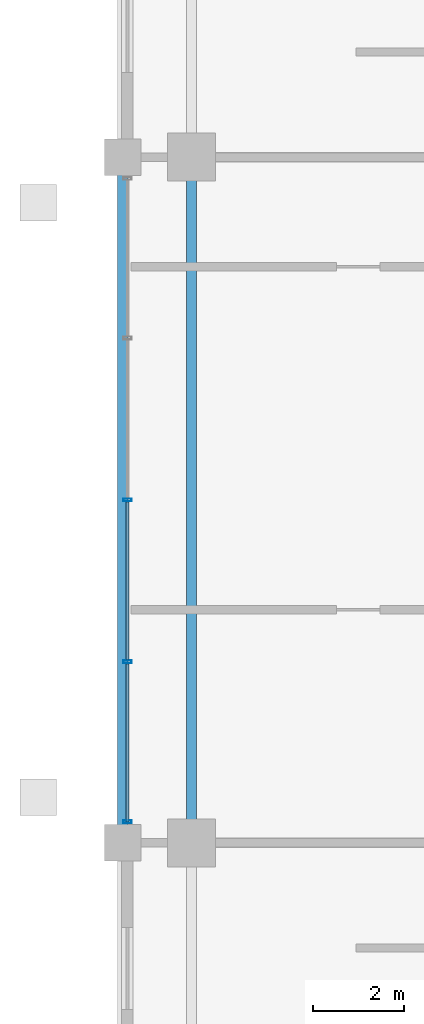
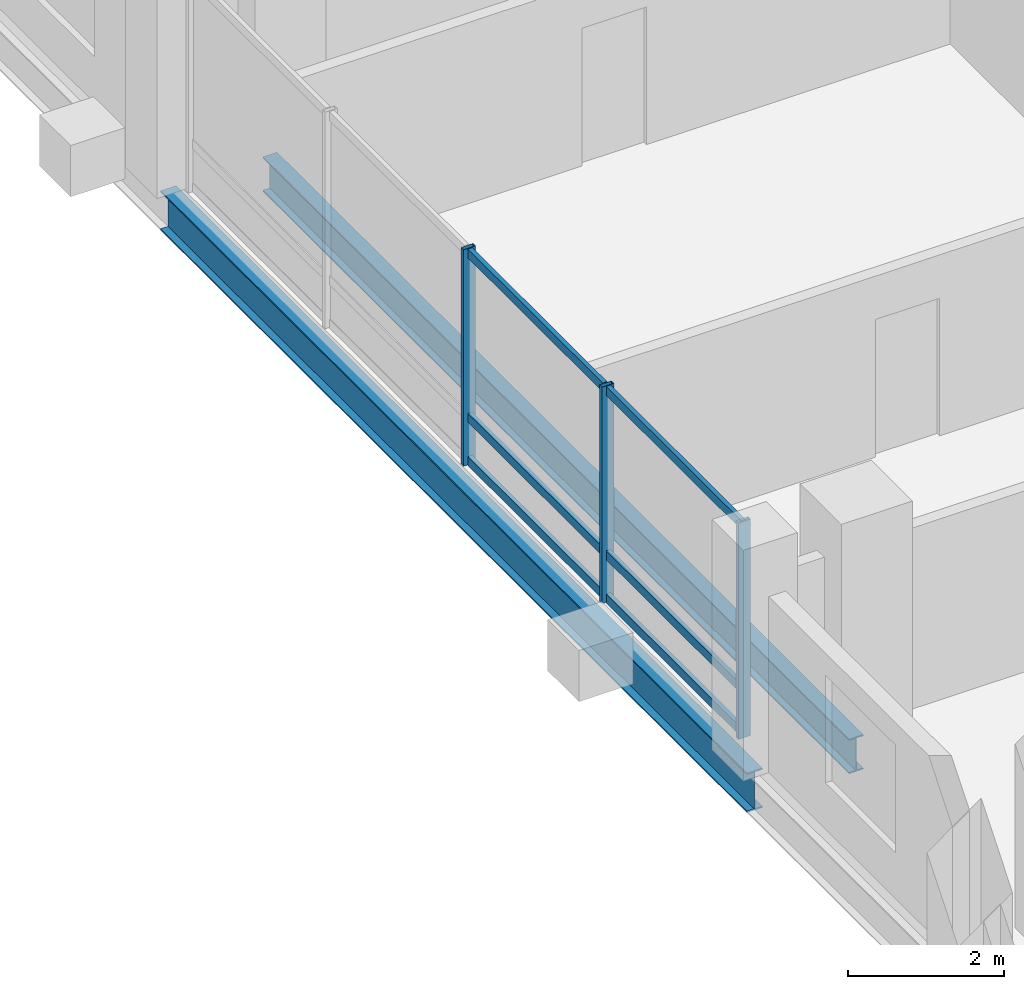
# One storey, part 6 of 24: 9 members, 2 beams, 1 element without a shape of its own.
"""IFC4 building model written with IfcOpenShell, lengths in metres."""

import ifcopenshell
import ifcopenshell.guid

model = None  # the IFC model being written
_history = None  # IfcOwnerHistory: only IFC2X3 demands one
_inside = {}  # id of a spatial element -> (the spatial element, [elements in it])
_under = {}  # id of a project, library or spatial element -> (it, [spatial elements below it])
_declared = {}  # id of a project -> (the project, [libraries it declares])
_typed = {}  # id of a type object -> (the type object, [elements of that type])
_made_of = {}  # id of a material, layer set ... -> (it, [elements and type objects made of it])


def new_model(schema):
    """Start an empty IFC model of exactly this schema.

    Asked for "IFC4X3", IfcOpenShell would pick the latest addendum, in which some entities
    have other attributes; the version numbers below select the first issue.
    IFC2X3 requires an IfcOwnerHistory on every rooted entity: one is made here for all.
    """
    global model, _history
    if schema == "IFC4X3":
        model = ifcopenshell.file(schema_version=(4, 3, 0, 0))
    else:
        model = ifcopenshell.file(schema=schema)
    _inside.clear()
    _under.clear()
    _declared.clear()
    _typed.clear()
    _made_of.clear()
    _history = None
    if model.schema == "IFC2X3":
        org = make("IfcOrganization", Name="unknown")
        user = make(
            "IfcPersonAndOrganization",
            ThePerson=make("IfcPerson", FamilyName="unknown"),
            TheOrganization=org,
        )
        app = make(
            "IfcApplication",
            ApplicationDeveloper=org,
            Version="unknown",
            ApplicationFullName="unknown",
            ApplicationIdentifier="unknown",
        )
        _history = make(
            "IfcOwnerHistory",
            OwningUser=user,
            OwningApplication=app,
            ChangeAction="ADDED",
            CreationDate=0,
        )
    return model


def make(cls, **values):
    """One entity of the class cls with the attributes given. An attribute that is None is left unset."""
    return model.create_entity(
        cls, **{name: value for name, value in values.items() if value is not None}
    )


def rooted(cls, **values):
    """An entity with a GlobalId (a new one), such as an element, a storey or a relation."""
    return make(cls, GlobalId=ifcopenshell.guid.new(), OwnerHistory=_history, **values)


def si_unit(unit_type, name, prefix=None):
    """IfcSIUnit, for example si_unit("LENGTHUNIT", "METRE", prefix="MILLI")."""
    return make("IfcSIUnit", UnitType=unit_type, Prefix=prefix, Name=name)


def assignment(units):
    """IfcUnitAssignment: the units of a project."""
    return None if units is None else make("IfcUnitAssignment", Units=units)


def point(xyz):
    """IfcCartesianPoint."""
    return None if xyz is None else make("IfcCartesianPoint", Coordinates=xyz)


def direction(xyz):
    """IfcDirection."""
    return None if xyz is None else make("IfcDirection", DirectionRatios=xyz)


def frame(location, z_axis=None, x_axis=None):
    """IfcAxis2Placement3D, a coordinate frame: its origin and axes. An axis left out is left unset."""
    return make(
        "IfcAxis2Placement3D",
        Location=point(location),
        Axis=direction(z_axis),
        RefDirection=direction(x_axis),
    )


def frame_2d(location, x_axis=None):
    """IfcAxis2Placement2D, a coordinate frame in the plane: its origin and x axis."""
    return make(
        "IfcAxis2Placement2D", Location=point(location), RefDirection=direction(x_axis)
    )


def origin():
    """The frame at (0, 0, 0) with its axes left unset."""
    return frame((0.0, 0.0, 0.0))


def origin_2d():
    """The frame at (0, 0) in the plane with its x axis left unset."""
    return frame_2d((0.0, 0.0))


def place(relative_to, where):
    """IfcLocalPlacement: puts the frame where relative to a parent placement (None: the world)."""
    return make(
        "IfcLocalPlacement", PlacementRelTo=relative_to, RelativePlacement=where
    )


def context(
    kind, dimensions, precision=None, world=None, true_north=None, identifier=None
):
    """IfcGeometricRepresentationContext, for example the 3D "Model" context."""
    return make(
        "IfcGeometricRepresentationContext",
        ContextIdentifier=identifier,
        ContextType=kind,
        CoordinateSpaceDimension=dimensions,
        Precision=precision,
        WorldCoordinateSystem=world,
        TrueNorth=true_north,
    )


def subcontext(parent, identifier, kind, view, scale=None):
    """IfcGeometricRepresentationSubContext, for example "Body" below "Model"."""
    return make(
        "IfcGeometricRepresentationSubContext",
        ContextIdentifier=identifier,
        ContextType=kind,
        ParentContext=parent,
        TargetScale=scale,
        TargetView=view,
    )


def project(units=None, contexts=None):
    """IfcProject with its units and contexts."""
    return rooted(
        "IfcProject",
        Name="project",
        RepresentationContexts=contexts,
        UnitsInContext=assignment(units),
    )


def spatial(cls, under=None, at=None, **own):
    """A site, building, storey or space (cls), placed at a placement, below another one or the project."""
    s = rooted(cls, ObjectPlacement=at, **own)
    if under is not None:
        _under.setdefault(under.id(), (under, []))[1].append(s)
    return s


def profile(cls, at=None, kind="AREA", **sizes):
    """A parametric profile (cls). Its sizes go by their IFC names, for example OverallWidth=200.0."""
    return make(cls, ProfileType=kind, Position=at, **sizes)


def hollow_rectangle(**sizes):
    """IfcRectangleHollowProfileDef."""
    return profile("IfcRectangleHollowProfileDef", **sizes)


def i_section(**sizes):
    """IfcIShapeProfileDef."""
    return profile("IfcIShapeProfileDef", **sizes)


def extrude(swept, where, along, depth):
    """IfcExtrudedAreaSolid: the profile swept, set in the frame where, extruded along a direction by depth."""
    return make(
        "IfcExtrudedAreaSolid",
        SweptArea=swept,
        Position=where,
        ExtrudedDirection=direction(along),
        Depth=depth,
    )


def shape(context_of_items, identifier, shape_type, items):
    """IfcShapeRepresentation: the items that make up one representation, for example the "Body"."""
    return make(
        "IfcShapeRepresentation",
        ContextOfItems=context_of_items,
        RepresentationIdentifier=identifier,
        RepresentationType=shape_type,
        Items=items,
    )


def material(Name=None, Category=None):
    """IfcMaterial."""
    return make("IfcMaterial", Name=Name, Category=Category)


def layer(
    of_material, thickness, ventilated=None, Name=None, Category=None, Priority=None
):
    """IfcMaterialLayer: one layer of a wall or slab, of a material (None: an air gap)."""
    return make(
        "IfcMaterialLayer",
        Material=of_material,
        LayerThickness=thickness,
        IsVentilated=ventilated,
        Name=Name,
        Category=Category,
        Priority=Priority,
    )


def layer_set(layers, Name=None):
    """IfcMaterialLayerSet."""
    return make("IfcMaterialLayerSet", MaterialLayers=layers, LayerSetName=Name)


def material_profile(
    of_material, cross_section, Name=None, Category=None, Priority=None
):
    """IfcMaterialProfile: a cross section and its material."""
    return make(
        "IfcMaterialProfile",
        Name=Name,
        Material=of_material,
        Profile=cross_section,
        Priority=Priority,
        Category=Category,
    )


def profile_set(profiles, Name=None, composite=None):
    """IfcMaterialProfileSet."""
    return make(
        "IfcMaterialProfileSet",
        Name=Name,
        MaterialProfiles=profiles,
        CompositeProfile=composite,
    )


def made_of(thing, what):
    """Note that an element or type object is made of a material, layer set ...; save() writes the relation."""
    if what is not None:
        _made_of.setdefault(what.id(), (what, []))[1].append(thing)
    return thing


def type_object(cls, material=None, **own):
    """A type object (cls), such as IfcWallType, which elements share."""
    return made_of(rooted(cls, **own), material)


def element(
    cls,
    number,
    at=None,
    inside=None,
    cuts=None,
    type_object=None,
    material=None,
    context=None,
    identifier="Body",
    shape_type=None,
    held_by="IfcProductDefinitionShape",
    body=None,
    shapes=None,
    **own,
):
    """One element of the class cls, such as IfcWall. Its Tag is "e" and its number.

    at: its placement. inside: the storey or other place that contains it. cuts: it is an
    opening in that element (IfcRelVoidsElement). A single representation is given by context,
    identifier, shape_type and body (its items); several are given by shapes. held_by: the class
    of the entity that holds the representations. save() writes the other relations.
    """
    e = rooted(cls, Tag="e%d" % number, ObjectPlacement=at, **own)
    if body is not None:
        shapes = [shape(context, identifier, shape_type, body)]
    if shapes is not None:
        e.Representation = make(held_by, Representations=shapes)
    if inside is not None:
        _inside.setdefault(inside.id(), (inside, []))[1].append(e)
    if cuts is not None:
        rooted(
            "IfcRelVoidsElement", RelatingBuildingElement=cuts, RelatedOpeningElement=e
        )
    if type_object is not None:
        _typed.setdefault(type_object.id(), (type_object, []))[1].append(e)
    return made_of(e, material)


def aggregate(whole, parts):
    """IfcRelAggregates: a whole, such as a stair, and the parts it consists of."""
    return rooted("IfcRelAggregates", RelatingObject=whole, RelatedObjects=parts)


def save(model, path):
    """Write the relations noted so far, then the file.

    IfcRelAggregates (storeys below a building ...), IfcRelContainedInSpatialStructure (elements
    in a storey), IfcRelDefinesByType, IfcRelAssociatesMaterial and IfcRelDeclares: one each for
    every whole, place, type object, material and project.
    """
    for whole, parts in _under.values():
        aggregate(whole, parts)
    for where, things in _inside.values():
        rooted(
            "IfcRelContainedInSpatialStructure",
            RelatedElements=things,
            RelatingStructure=where,
        )
    for kind, things in _typed.values():
        rooted("IfcRelDefinesByType", RelatedObjects=things, RelatingType=kind)
    for what, things in _made_of.values():
        rooted("IfcRelAssociatesMaterial", RelatedObjects=things, RelatingMaterial=what)
    for by, libraries in _declared.values():
        rooted("IfcRelDeclares", RelatingContext=by, RelatedDefinitions=libraries)
    model.write(path)


model = new_model("IFC4")

# Units and contexts
model_context = context("Model", 3, precision=1e-05, world=origin(), true_north=direction((0.0, 1.0)))
body_context = subcontext(model_context, "Body", "Model", "MODEL_VIEW")
ifc_project = project(units=[si_unit("LENGTHUNIT", "METRE"), si_unit("AREAUNIT", "SQUARE_METRE"), si_unit("VOLUMEUNIT", "CUBIC_METRE"), si_unit("PLANEANGLEUNIT", "RADIAN"), si_unit("MASSUNIT", "GRAM", prefix="KILO")], contexts=[model_context])

# Site, building, storey
site_placement = place(None, origin())
site = spatial("IfcSite", under=ifc_project, at=site_placement, CompositionType="ELEMENT")
building_placement = place(site_placement, origin())
building = spatial("IfcBuilding", under=site, at=building_placement, Name="Barlavira Tower and Art Museum", CompositionType="ELEMENT")
storey_placement = place(building_placement, frame((0.0, 0.0, 180.0)))
storey = spatial("IfcBuildingStorey", under=building, at=storey_placement, Name="L46", CompositionType="ELEMENT", Elevation=180.0)

# Curtain wall, members
ifc_material_1 = material(Name="Low-iron coastal laminated glass", Category="glass")
ifc_layer = layer(ifc_material_1, 0.199951171875, Name="Low-iron coastal laminated glass")
ifc_layer_set = layer_set([ifc_layer], Name="Low-iron coastal laminated glass")
curtain_wall_type = type_object("IfcCurtainWallType", Name="Pale-Metal Unitised Curtain Wall Zone 3", PredefinedType="NOTDEFINED", material=ifc_layer_set)
curtain_wall_placement = place(storey_placement, origin())
curtain_wall = element("IfcCurtainWall", 1, at=curtain_wall_placement, inside=storey, type_object=curtain_wall_type, Name="L46 Curtain Wall CW3-L46-W-B3", PredefinedType="NOTDEFINED")
ifc_material_2 = material(Name="Pale anodised aluminium", Category="aluminium")
ifc_material_profile_1 = material_profile(ifc_material_2, hollow_rectangle(XDim=0.06494140625, YDim=0.179931640625, WallThickness=0.00390625, at=origin_2d()), Name="ALU-MULL 65x180x4")
ifc_profile_set_1 = profile_set([ifc_material_profile_1], Name="Pale anodised aluminium")
member_type_1 = type_object("IfcMemberType", Name="Curtain Wall Pale-Metal Mullion 65x180", PredefinedType="MULLION", material=ifc_profile_set_1)
member_1_placement = place(storey_placement, frame((-18.39990234375, 0.0, 0.0), z_axis=(0.0, 0.0, 1.0), x_axis=(0.0, -1.0, 0.0)))
member_1 = element("IfcMember", 2, at=member_1_placement, type_object=member_type_1, Name="CW3-L46-W-B3 Mullion 2", PredefinedType="MULLION", context=body_context, shape_type="SweptSolid", body=[
    extrude(hollow_rectangle(XDim=0.06494140625, YDim=0.179931640625, WallThickness=0.00390625, at=origin_2d()), origin(), (0.0, 0.0, 1.0), 3.3798828125),
])
member_2_placement = place(storey_placement, frame((-18.39990234375, -3.5400390625, 0.0), z_axis=(0.0, 0.0, 1.0), x_axis=(0.0, -1.0, 0.0)))
member_2 = element("IfcMember", 3, at=member_2_placement, type_object=member_type_1, Name="CW3-L46-W-B3 Mullion 3", PredefinedType="MULLION", context=body_context, shape_type="SweptSolid", body=[
    extrude(hollow_rectangle(XDim=0.06494140625, YDim=0.179931640625, WallThickness=0.00390625, at=origin_2d()), origin(), (0.0, 0.0, 1.0), 3.3798828125),
])
member_3_placement = place(storey_placement, frame((-18.39990234375, -7.034912109375, 0.0), z_axis=(0.0, 0.0, 1.0), x_axis=(0.0, -1.0, 0.0)))
member_3 = element("IfcMember", 4, at=member_3_placement, type_object=member_type_1, Name="CW3-L46-W-B3 Mullion 4", PredefinedType="MULLION", context=body_context, shape_type="SweptSolid", body=[
    extrude(hollow_rectangle(XDim=0.06494140625, YDim=0.179931640625, WallThickness=0.00390625, at=origin_2d()), origin(), (0.0, 0.0, 1.0), 3.3798828125),
])
ifc_material_profile_2 = material_profile(ifc_material_2, hollow_rectangle(XDim=0.06494140625, YDim=0.139892578125, WallThickness=0.00390625, at=origin_2d()), Name="ALU-TRAN 65x140x4")
ifc_profile_set_2 = profile_set([ifc_material_profile_2], Name="Pale anodised aluminium")
member_type_2 = type_object("IfcMemberType", Name="Curtain Wall Pale-Metal Transom 65x140", PredefinedType="USERDEFINED", material=ifc_profile_set_2)
member_4_placement = place(storey_placement, frame((-18.39990234375, -0.044921875, 0.070068359375), z_axis=(0.0, -1.0, 0.0), x_axis=(1.0, 0.0, 0.0)))
member_4 = element("IfcMember", 5, at=member_4_placement, type_object=member_type_2, Name="CW3-L46-W-B3 Transom 2.1", ObjectType="TRANSOM", PredefinedType="USERDEFINED", context=body_context, shape_type="SweptSolid", body=[
    extrude(hollow_rectangle(XDim=0.06494140625, YDim=0.139892578125, WallThickness=0.00390625, at=origin_2d()), origin(), (0.0, 0.0, 1.0), 3.4501953125),
])
member_5_placement = place(storey_placement, frame((-18.39990234375, -0.044921875, 0.743896484375), z_axis=(0.0, -1.0, 0.0), x_axis=(1.0, 0.0, 0.0)))
member_5 = element("IfcMember", 6, at=member_5_placement, type_object=member_type_2, Name="CW3-L46-W-B3 Transom 2.2", ObjectType="TRANSOM", PredefinedType="USERDEFINED", context=body_context, shape_type="SweptSolid", body=[
    extrude(hollow_rectangle(XDim=0.06494140625, YDim=0.139892578125, WallThickness=0.00390625, at=origin_2d()), origin(), (0.0, 0.0, 1.0), 3.4501953125),
])
member_6_placement = place(storey_placement, frame((-18.39990234375, -0.044921875, 3.31005859375), z_axis=(0.0, -1.0, 0.0), x_axis=(1.0, 0.0, 0.0)))
member_6 = element("IfcMember", 7, at=member_6_placement, type_object=member_type_2, Name="CW3-L46-W-B3 Transom 2.3", ObjectType="TRANSOM", PredefinedType="USERDEFINED", context=body_context, shape_type="SweptSolid", body=[
    extrude(hollow_rectangle(XDim=0.06494140625, YDim=0.139892578125, WallThickness=0.00390625, at=origin_2d()), origin(), (0.0, 0.0, 1.0), 3.4501953125),
])
member_7_placement = place(storey_placement, frame((-18.39990234375, -3.5849609375, 0.070068359375), z_axis=(0.0, -1.0, 0.0), x_axis=(1.0, 0.0, 0.0)))
member_7 = element("IfcMember", 8, at=member_7_placement, type_object=member_type_2, Name="CW3-L46-W-B3 Transom 3.1", ObjectType="TRANSOM", PredefinedType="USERDEFINED", context=body_context, shape_type="SweptSolid", body=[
    extrude(hollow_rectangle(XDim=0.06494140625, YDim=0.139892578125, WallThickness=0.00390625, at=origin_2d()), origin(), (0.0, 0.0, 1.0), 3.449951171875),
])
member_8_placement = place(storey_placement, frame((-18.39990234375, -3.5849609375, 0.743896484375), z_axis=(0.0, -1.0, 0.0), x_axis=(1.0, 0.0, 0.0)))
member_8 = element("IfcMember", 9, at=member_8_placement, type_object=member_type_2, Name="CW3-L46-W-B3 Transom 3.2", ObjectType="TRANSOM", PredefinedType="USERDEFINED", context=body_context, shape_type="SweptSolid", body=[
    extrude(hollow_rectangle(XDim=0.06494140625, YDim=0.139892578125, WallThickness=0.00390625, at=origin_2d()), origin(), (0.0, 0.0, 1.0), 3.449951171875),
])
member_9_placement = place(storey_placement, frame((-18.39990234375, -3.5849609375, 3.31005859375), z_axis=(0.0, -1.0, 0.0), x_axis=(1.0, 0.0, 0.0)))
member_9 = element("IfcMember", 10, at=member_9_placement, type_object=member_type_2, Name="CW3-L46-W-B3 Transom 3.3", ObjectType="TRANSOM", PredefinedType="USERDEFINED", context=body_context, shape_type="SweptSolid", body=[
    extrude(hollow_rectangle(XDim=0.06494140625, YDim=0.139892578125, WallThickness=0.00390625, at=origin_2d()), origin(), (0.0, 0.0, 1.0), 3.449951171875),
])
aggregate(curtain_wall, [member_1, member_2, member_3, member_4, member_5, member_6, member_7, member_8, member_9])

# Beams
ifc_material_3 = material(Name="Steel S355", Category="steel")
ifc_material_profile_3 = material_profile(ifc_material_3, i_section(OverallWidth=0.22998046875, OverallDepth=0.616943359375, WebThickness=0.01318359375, FlangeThickness=0.022216796875, at=origin_2d()), Name="W610x140.0")
ifc_profile_set_3 = profile_set([ifc_material_profile_3], Name="Steel S355")
beam_type_1 = type_object("IfcBeamType", Name="Upper Shaft Spandrel Edge Beam W610x140 Steel S355", PredefinedType="SPANDREL", material=ifc_profile_set_3)
beam_1_placement = place(storey_placement, frame((-18.5, -7.5, -0.528564453125), z_axis=(0.0, 1.0, 0.0), x_axis=(-1.0, 0.0, 0.0)))
element("IfcBeam", 11, at=beam_1_placement, inside=storey, type_object=beam_type_1, Name="L46 Spandrel 14", PredefinedType="SPANDREL", context=body_context, shape_type="SweptSolid", body=[
    extrude(i_section(OverallWidth=0.22998046875, OverallDepth=0.616943359375, WebThickness=0.01318359375, FlangeThickness=0.022216796875, at=origin_2d()), origin(), (0.0, 0.0, 1.0), 15.0),
])
ifc_material_profile_4 = material_profile(ifc_material_3, i_section(OverallWidth=0.2109375, OverallDepth=0.5390625, WebThickness=0.01171875, FlangeThickness=0.018798828125, at=origin_2d()), Name="W530x109.0")
ifc_profile_set_4 = profile_set([ifc_material_profile_4], Name="Steel S355")
beam_type_2 = type_object("IfcBeamType", Name="Zone 3-4 Primary Floor Girder W530x109 Steel S355", PredefinedType="BEAM", material=ifc_profile_set_4)
beam_2_placement = place(storey_placement, frame((-17.0, -7.5, -0.489501953125), z_axis=(0.0, 1.0, 0.0), x_axis=(-1.0, 0.0, 0.0)))
element("IfcBeam", 12, at=beam_2_placement, inside=storey, type_object=beam_type_2, Name="L46 Girder M-W2", PredefinedType="BEAM", context=body_context, shape_type="SweptSolid", body=[
    extrude(i_section(OverallWidth=0.2109375, OverallDepth=0.5390625, WebThickness=0.01171875, FlangeThickness=0.018798828125, at=origin_2d()), origin(), (0.0, 0.0, 1.0), 15.0),
])

save(model, "model.ifc")
